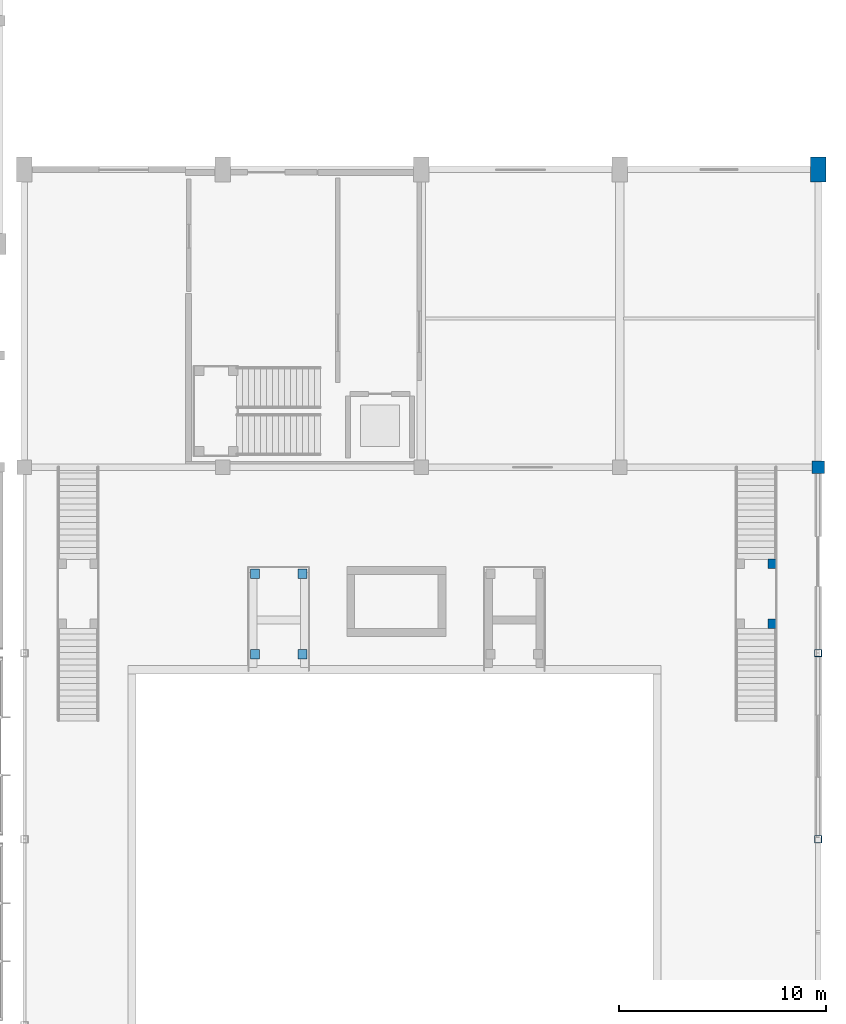
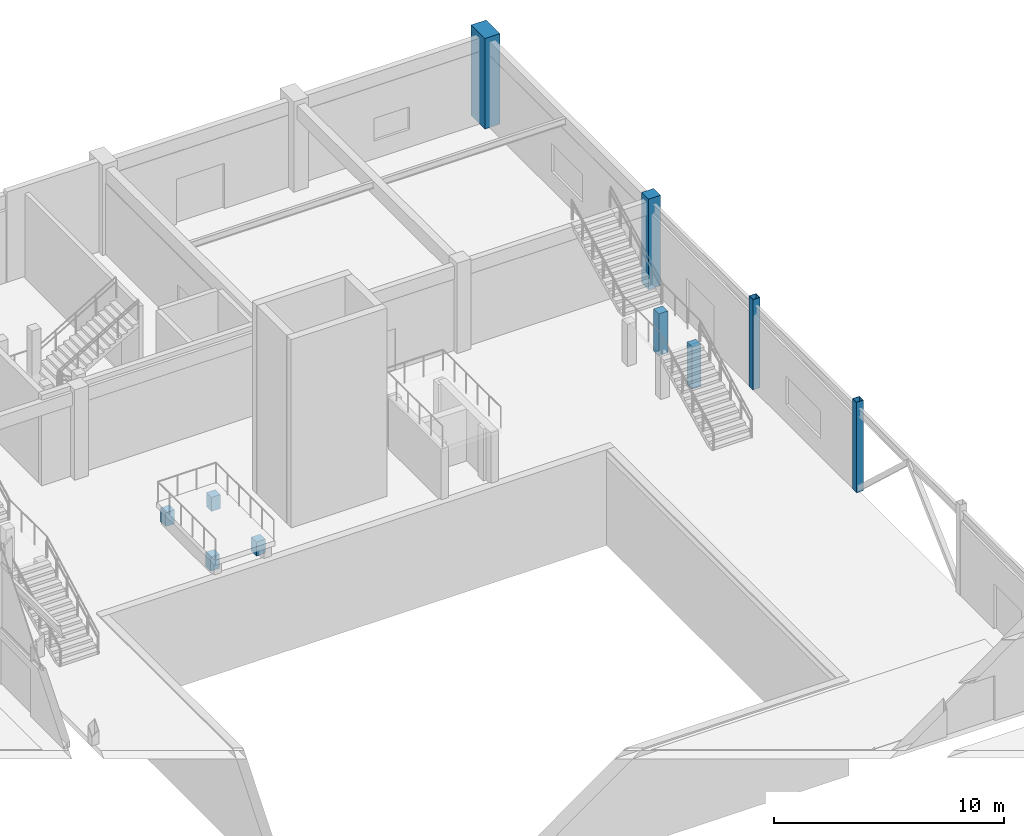
# One storey, part 15 of 82: 10 columns.
"""IFC4 building model written with IfcOpenShell, lengths in metres."""

import ifcopenshell
import ifcopenshell.guid

model = None  # the IFC model being written
_history = None  # IfcOwnerHistory: only IFC2X3 demands one
_inside = {}  # id of a spatial element -> (the spatial element, [elements in it])
_under = {}  # id of a project, library or spatial element -> (it, [spatial elements below it])
_declared = {}  # id of a project -> (the project, [libraries it declares])
_typed = {}  # id of a type object -> (the type object, [elements of that type])
_made_of = {}  # id of a material, layer set ... -> (it, [elements and type objects made of it])


def new_model(schema):
    """Start an empty IFC model of exactly this schema.

    Asked for "IFC4X3", IfcOpenShell would pick the latest addendum, in which some entities
    have other attributes; the version numbers below select the first issue.
    IFC2X3 requires an IfcOwnerHistory on every rooted entity: one is made here for all.
    """
    global model, _history
    if schema == "IFC4X3":
        model = ifcopenshell.file(schema_version=(4, 3, 0, 0))
    else:
        model = ifcopenshell.file(schema=schema)
    _inside.clear()
    _under.clear()
    _declared.clear()
    _typed.clear()
    _made_of.clear()
    _history = None
    if model.schema == "IFC2X3":
        org = make("IfcOrganization", Name="unknown")
        user = make(
            "IfcPersonAndOrganization",
            ThePerson=make("IfcPerson", FamilyName="unknown"),
            TheOrganization=org,
        )
        app = make(
            "IfcApplication",
            ApplicationDeveloper=org,
            Version="unknown",
            ApplicationFullName="unknown",
            ApplicationIdentifier="unknown",
        )
        _history = make(
            "IfcOwnerHistory",
            OwningUser=user,
            OwningApplication=app,
            ChangeAction="ADDED",
            CreationDate=0,
        )
    return model


def make(cls, **values):
    """One entity of the class cls with the attributes given. An attribute that is None is left unset."""
    return model.create_entity(
        cls, **{name: value for name, value in values.items() if value is not None}
    )


def rooted(cls, **values):
    """An entity with a GlobalId (a new one), such as an element, a storey or a relation."""
    return make(cls, GlobalId=ifcopenshell.guid.new(), OwnerHistory=_history, **values)


def si_unit(unit_type, name, prefix=None):
    """IfcSIUnit, for example si_unit("LENGTHUNIT", "METRE", prefix="MILLI")."""
    return make("IfcSIUnit", UnitType=unit_type, Prefix=prefix, Name=name)


def assignment(units):
    """IfcUnitAssignment: the units of a project."""
    return None if units is None else make("IfcUnitAssignment", Units=units)


def point(xyz):
    """IfcCartesianPoint."""
    return None if xyz is None else make("IfcCartesianPoint", Coordinates=xyz)


def direction(xyz):
    """IfcDirection."""
    return None if xyz is None else make("IfcDirection", DirectionRatios=xyz)


def frame(location, z_axis=None, x_axis=None):
    """IfcAxis2Placement3D, a coordinate frame: its origin and axes. An axis left out is left unset."""
    return make(
        "IfcAxis2Placement3D",
        Location=point(location),
        Axis=direction(z_axis),
        RefDirection=direction(x_axis),
    )


def frame_2d(location, x_axis=None):
    """IfcAxis2Placement2D, a coordinate frame in the plane: its origin and x axis."""
    return make(
        "IfcAxis2Placement2D", Location=point(location), RefDirection=direction(x_axis)
    )


def origin():
    """The frame at (0, 0, 0) with its axes left unset."""
    return frame((0.0, 0.0, 0.0))


def origin_2d():
    """The frame at (0, 0) in the plane with its x axis left unset."""
    return frame_2d((0.0, 0.0))


def place(relative_to, where):
    """IfcLocalPlacement: puts the frame where relative to a parent placement (None: the world)."""
    return make(
        "IfcLocalPlacement", PlacementRelTo=relative_to, RelativePlacement=where
    )


def context(
    kind, dimensions, precision=None, world=None, true_north=None, identifier=None
):
    """IfcGeometricRepresentationContext, for example the 3D "Model" context."""
    return make(
        "IfcGeometricRepresentationContext",
        ContextIdentifier=identifier,
        ContextType=kind,
        CoordinateSpaceDimension=dimensions,
        Precision=precision,
        WorldCoordinateSystem=world,
        TrueNorth=true_north,
    )


def subcontext(parent, identifier, kind, view, scale=None):
    """IfcGeometricRepresentationSubContext, for example "Body" below "Model"."""
    return make(
        "IfcGeometricRepresentationSubContext",
        ContextIdentifier=identifier,
        ContextType=kind,
        ParentContext=parent,
        TargetScale=scale,
        TargetView=view,
    )


def project(units=None, contexts=None):
    """IfcProject with its units and contexts."""
    return rooted(
        "IfcProject",
        Name="project",
        RepresentationContexts=contexts,
        UnitsInContext=assignment(units),
    )


def spatial(cls, under=None, at=None, **own):
    """A site, building, storey or space (cls), placed at a placement, below another one or the project."""
    s = rooted(cls, ObjectPlacement=at, **own)
    if under is not None:
        _under.setdefault(under.id(), (under, []))[1].append(s)
    return s


def profile(cls, at=None, kind="AREA", **sizes):
    """A parametric profile (cls). Its sizes go by their IFC names, for example OverallWidth=200.0."""
    return make(cls, ProfileType=kind, Position=at, **sizes)


def rectangle(**sizes):
    """IfcRectangleProfileDef."""
    return profile("IfcRectangleProfileDef", **sizes)


def hollow_rectangle(**sizes):
    """IfcRectangleHollowProfileDef."""
    return profile("IfcRectangleHollowProfileDef", **sizes)


def extrude(swept, where, along, depth):
    """IfcExtrudedAreaSolid: the profile swept, set in the frame where, extruded along a direction by depth."""
    return make(
        "IfcExtrudedAreaSolid",
        SweptArea=swept,
        Position=where,
        ExtrudedDirection=direction(along),
        Depth=depth,
    )


def shape(context_of_items, identifier, shape_type, items):
    """IfcShapeRepresentation: the items that make up one representation, for example the "Body"."""
    return make(
        "IfcShapeRepresentation",
        ContextOfItems=context_of_items,
        RepresentationIdentifier=identifier,
        RepresentationType=shape_type,
        Items=items,
    )


def material(Name=None, Category=None):
    """IfcMaterial."""
    return make("IfcMaterial", Name=Name, Category=Category)


def material_profile(
    of_material, cross_section, Name=None, Category=None, Priority=None
):
    """IfcMaterialProfile: a cross section and its material."""
    return make(
        "IfcMaterialProfile",
        Name=Name,
        Material=of_material,
        Profile=cross_section,
        Priority=Priority,
        Category=Category,
    )


def profile_set(profiles, Name=None, composite=None):
    """IfcMaterialProfileSet."""
    return make(
        "IfcMaterialProfileSet",
        Name=Name,
        MaterialProfiles=profiles,
        CompositeProfile=composite,
    )


def made_of(thing, what):
    """Note that an element or type object is made of a material, layer set ...; save() writes the relation."""
    if what is not None:
        _made_of.setdefault(what.id(), (what, []))[1].append(thing)
    return thing


def type_object(cls, material=None, **own):
    """A type object (cls), such as IfcWallType, which elements share."""
    return made_of(rooted(cls, **own), material)


def element(
    cls,
    number,
    at=None,
    inside=None,
    cuts=None,
    type_object=None,
    material=None,
    context=None,
    identifier="Body",
    shape_type=None,
    held_by="IfcProductDefinitionShape",
    body=None,
    shapes=None,
    **own,
):
    """One element of the class cls, such as IfcWall. Its Tag is "e" and its number.

    at: its placement. inside: the storey or other place that contains it. cuts: it is an
    opening in that element (IfcRelVoidsElement). A single representation is given by context,
    identifier, shape_type and body (its items); several are given by shapes. held_by: the class
    of the entity that holds the representations. save() writes the other relations.
    """
    e = rooted(cls, Tag="e%d" % number, ObjectPlacement=at, **own)
    if body is not None:
        shapes = [shape(context, identifier, shape_type, body)]
    if shapes is not None:
        e.Representation = make(held_by, Representations=shapes)
    if inside is not None:
        _inside.setdefault(inside.id(), (inside, []))[1].append(e)
    if cuts is not None:
        rooted(
            "IfcRelVoidsElement", RelatingBuildingElement=cuts, RelatedOpeningElement=e
        )
    if type_object is not None:
        _typed.setdefault(type_object.id(), (type_object, []))[1].append(e)
    return made_of(e, material)


def aggregate(whole, parts):
    """IfcRelAggregates: a whole, such as a stair, and the parts it consists of."""
    return rooted("IfcRelAggregates", RelatingObject=whole, RelatedObjects=parts)


def save(model, path):
    """Write the relations noted so far, then the file.

    IfcRelAggregates (storeys below a building ...), IfcRelContainedInSpatialStructure (elements
    in a storey), IfcRelDefinesByType, IfcRelAssociatesMaterial and IfcRelDeclares: one each for
    every whole, place, type object, material and project.
    """
    for whole, parts in _under.values():
        aggregate(whole, parts)
    for where, things in _inside.values():
        rooted(
            "IfcRelContainedInSpatialStructure",
            RelatedElements=things,
            RelatingStructure=where,
        )
    for kind, things in _typed.values():
        rooted("IfcRelDefinesByType", RelatedObjects=things, RelatingType=kind)
    for what, things in _made_of.values():
        rooted("IfcRelAssociatesMaterial", RelatedObjects=things, RelatingMaterial=what)
    for by, libraries in _declared.values():
        rooted("IfcRelDeclares", RelatingContext=by, RelatedDefinitions=libraries)
    model.write(path)


model = new_model("IFC4")

# Units and contexts
model_context = context("Model", 3, precision=1e-05, world=origin(), true_north=direction((0.0, 1.0)))
body_context = subcontext(model_context, "Body", "Model", "MODEL_VIEW")
ifc_project = project(units=[si_unit("LENGTHUNIT", "METRE"), si_unit("AREAUNIT", "SQUARE_METRE"), si_unit("VOLUMEUNIT", "CUBIC_METRE"), si_unit("PLANEANGLEUNIT", "RADIAN"), si_unit("MASSUNIT", "GRAM", prefix="KILO")], contexts=[model_context])

# Site, building, storey
site_placement = place(None, origin())
site = spatial("IfcSite", under=ifc_project, at=site_placement, CompositionType="ELEMENT")
building_placement = place(site_placement, origin())
building = spatial("IfcBuilding", under=site, at=building_placement, Name="Suirenkawa Promenade Aquatics Centre", CompositionType="ELEMENT")
storey_placement = place(building_placement, origin())
storey = spatial("IfcBuildingStorey", under=building, at=storey_placement, Name="L00", CompositionType="ELEMENT", Elevation=0.0)

# Columns
ifc_material_1 = material(Name="Concrete M40", Category="concrete")
ifc_material_profile_1 = material_profile(ifc_material_1, rectangle(XDim=0.75, YDim=1.199951171875, at=origin_2d()), Name="RC PIER 750x1200", Category="concrete")
ifc_profile_set_1 = profile_set([ifc_material_profile_1], Name="Concrete M40")
column_type_1 = type_object("IfcColumnType", Name="CT-PIER-750x1200", PredefinedType="COLUMN", material=ifc_profile_set_1)
column_1_placement = place(storey_placement, frame((194.39990234375, 100.800048828125, 0.0), z_axis=(0.0, 0.0, 1.0), x_axis=(1.0, 0.0, 0.0)))
element("IfcColumn", 1, at=column_1_placement, inside=storey, type_object=column_type_1, Name="Column CL-08 COL-0032", PredefinedType="COLUMN", context=body_context, shape_type="SweptSolid", body=[
    extrude(rectangle(XDim=0.75, YDim=1.199951171875, at=origin_2d()), origin(), (0.0, 0.0, 1.0), 4.800048828125),
])
ifc_material_profile_2 = material_profile(ifc_material_1, rectangle(XDim=0.449951171875, YDim=0.449951171875, at=origin_2d()), Name="RC COL 450x450", Category="concrete")
ifc_profile_set_2 = profile_set([ifc_material_profile_2], Name="Concrete M40")
column_type_2 = type_object("IfcColumnType", Name="CT-RC-450", PredefinedType="COLUMN", material=ifc_profile_set_2)
for number, where, z_axis, x_axis, name in (
    (2, (192.18994140625, 78.824951171875, 0.0), (0.0, 0.0, 1.0), (1.0, 0.0, 0.0), "Column CL-01 COL-1100"),
    (3, (192.18994140625, 81.72509765625, 0.0), (0.0, 0.0, 1.0), (1.0, 0.0, 0.0), "Column CL-01 COL-1102"),
):
    element("IfcColumn", number, at=place(storey_placement, frame(where, z_axis=z_axis, x_axis=x_axis)), inside=storey, type_object=column_type_2, Name=name, PredefinedType="COLUMN", context=body_context, shape_type="SweptSolid", body=[
        extrude(rectangle(XDim=0.449951171875, YDim=0.449951171875, at=origin_2d()), origin(), (0.0, 0.0, 1.0), 2.239990234375),
    ])
for number, where, z_axis, x_axis, name in (
    (4, (167.14990234375, 77.35009765625, 0.0), (0.0, 0.0, 1.0), (1.0, 0.0, 0.0), "Column CL-01 COL-1116"),
    (5, (167.14990234375, 81.25, 0.0), (0.0, 0.0, 1.0), (1.0, 0.0, 0.0), "Column CL-01 COL-1118"),
    (6, (169.449951171875, 77.35009765625, 0.0), (0.0, 0.0, 1.0), (1.0, 0.0, 0.0), "Column CL-01 COL-1120"),
    (7, (169.449951171875, 81.25, 0.0), (0.0, 0.0, 1.0), (1.0, 0.0, 0.0), "Column CL-01 COL-1122"),
):
    element("IfcColumn", number, at=place(storey_placement, frame(where, z_axis=z_axis, x_axis=x_axis)), inside=storey, type_object=column_type_2, Name=name, PredefinedType="COLUMN", context=body_context, shape_type="SweptSolid", body=[
        extrude(rectangle(XDim=0.449951171875, YDim=0.449951171875, at=origin_2d()), origin(), (0.0, 0.0, 1.0), 0.739990234375),
    ])
ifc_material_profile_3 = material_profile(ifc_material_1, rectangle(XDim=0.60009765625, YDim=0.60009765625, at=origin_2d()), Name="RC COL 600x600", Category="concrete")
ifc_profile_set_3 = profile_set([ifc_material_profile_3], Name="Concrete M40")
column_type_3 = type_object("IfcColumnType", Name="CT-RC-600", PredefinedType="COLUMN", material=ifc_profile_set_3)
column_2_placement = place(storey_placement, frame((194.39990234375, 86.39990234375, 0.0), z_axis=(0.0, 0.0, 1.0), x_axis=(1.0, 0.0, 0.0)))
element("IfcColumn", 8, at=column_2_placement, inside=storey, type_object=column_type_3, Name="Column CL-03 COL-0613", PredefinedType="COLUMN", context=body_context, shape_type="SweptSolid", body=[
    extrude(rectangle(XDim=0.60009765625, YDim=0.60009765625, at=origin_2d()), origin(), (0.0, 0.0, 1.0), 4.800048828125),
])
ifc_material_2 = material(Name="Steel IS 2062 E350 (Grade 350)", Category="steel")
ifc_material_profile_4 = material_profile(ifc_material_2, hollow_rectangle(XDim=0.35009765625, YDim=0.35009765625, WallThickness=0.01611328125, at=origin_2d()), Name="SHS 350x350x16", Category="steel")
ifc_profile_set_4 = profile_set([ifc_material_profile_4], Name="Steel IS 2062 E350 (Grade 350)")
column_type_4 = type_object("IfcColumnType", Name="CT-STL-SHS350", PredefinedType="COLUMN", material=ifc_profile_set_4)
for number, where, z_axis, x_axis, name in (
    (9, (194.39990234375, 68.39990234375, 0.0), (0.0, 0.0, 1.0), (1.0, 0.0, 0.0), "Column CL-15 COL-0633"),
    (10, (194.39990234375, 77.39990234375, 0.0), (0.0, 0.0, 1.0), (1.0, 0.0, 0.0), "Column CL-15 COL-0637"),
):
    element("IfcColumn", number, at=place(storey_placement, frame(where, z_axis=z_axis, x_axis=x_axis)), inside=storey, type_object=column_type_4, Name=name, PredefinedType="COLUMN", context=body_context, shape_type="SweptSolid", body=[
        extrude(hollow_rectangle(XDim=0.35009765625, YDim=0.35009765625, WallThickness=0.01611328125, at=origin_2d()), origin(), (0.0, 0.0, 1.0), 4.800048828125),
    ])

save(model, "model.ifc")
